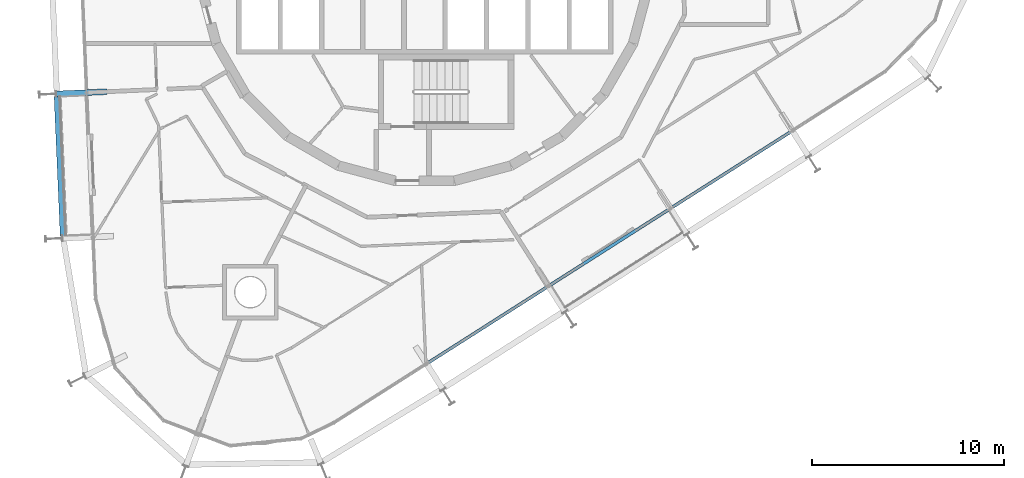
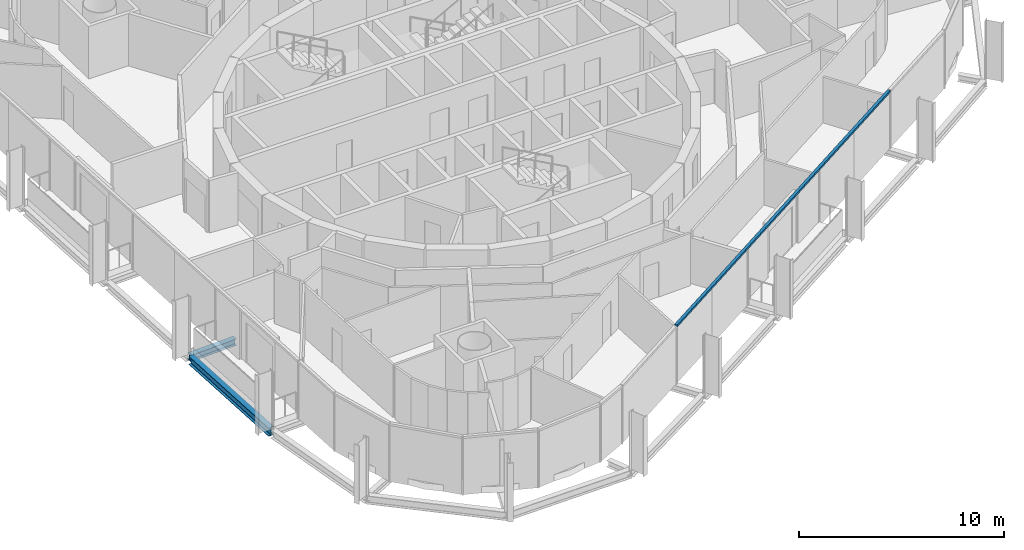
# One storey, part 3 of 18: 2 beams, 1 member, 1 element without a shape of its own.
"""IFC4 building model written with IfcOpenShell, lengths in metres."""

import ifcopenshell
import ifcopenshell.guid

model = None  # the IFC model being written
_history = None  # IfcOwnerHistory: only IFC2X3 demands one
_inside = {}  # id of a spatial element -> (the spatial element, [elements in it])
_under = {}  # id of a project, library or spatial element -> (it, [spatial elements below it])
_declared = {}  # id of a project -> (the project, [libraries it declares])
_typed = {}  # id of a type object -> (the type object, [elements of that type])
_made_of = {}  # id of a material, layer set ... -> (it, [elements and type objects made of it])


def new_model(schema):
    """Start an empty IFC model of exactly this schema.

    Asked for "IFC4X3", IfcOpenShell would pick the latest addendum, in which some entities
    have other attributes; the version numbers below select the first issue.
    IFC2X3 requires an IfcOwnerHistory on every rooted entity: one is made here for all.
    """
    global model, _history
    if schema == "IFC4X3":
        model = ifcopenshell.file(schema_version=(4, 3, 0, 0))
    else:
        model = ifcopenshell.file(schema=schema)
    _inside.clear()
    _under.clear()
    _declared.clear()
    _typed.clear()
    _made_of.clear()
    _history = None
    if model.schema == "IFC2X3":
        org = make("IfcOrganization", Name="unknown")
        user = make(
            "IfcPersonAndOrganization",
            ThePerson=make("IfcPerson", FamilyName="unknown"),
            TheOrganization=org,
        )
        app = make(
            "IfcApplication",
            ApplicationDeveloper=org,
            Version="unknown",
            ApplicationFullName="unknown",
            ApplicationIdentifier="unknown",
        )
        _history = make(
            "IfcOwnerHistory",
            OwningUser=user,
            OwningApplication=app,
            ChangeAction="ADDED",
            CreationDate=0,
        )
    return model


def make(cls, **values):
    """One entity of the class cls with the attributes given. An attribute that is None is left unset."""
    return model.create_entity(
        cls, **{name: value for name, value in values.items() if value is not None}
    )


def rooted(cls, **values):
    """An entity with a GlobalId (a new one), such as an element, a storey or a relation."""
    return make(cls, GlobalId=ifcopenshell.guid.new(), OwnerHistory=_history, **values)


def si_unit(unit_type, name, prefix=None):
    """IfcSIUnit, for example si_unit("LENGTHUNIT", "METRE", prefix="MILLI")."""
    return make("IfcSIUnit", UnitType=unit_type, Prefix=prefix, Name=name)


def assignment(units):
    """IfcUnitAssignment: the units of a project."""
    return None if units is None else make("IfcUnitAssignment", Units=units)


def point(xyz):
    """IfcCartesianPoint."""
    return None if xyz is None else make("IfcCartesianPoint", Coordinates=xyz)


def direction(xyz):
    """IfcDirection."""
    return None if xyz is None else make("IfcDirection", DirectionRatios=xyz)


def frame(location, z_axis=None, x_axis=None):
    """IfcAxis2Placement3D, a coordinate frame: its origin and axes. An axis left out is left unset."""
    return make(
        "IfcAxis2Placement3D",
        Location=point(location),
        Axis=direction(z_axis),
        RefDirection=direction(x_axis),
    )


def frame_2d(location, x_axis=None):
    """IfcAxis2Placement2D, a coordinate frame in the plane: its origin and x axis."""
    return make(
        "IfcAxis2Placement2D", Location=point(location), RefDirection=direction(x_axis)
    )


def origin():
    """The frame at (0, 0, 0) with its axes left unset."""
    return frame((0.0, 0.0, 0.0))


def origin_2d():
    """The frame at (0, 0) in the plane with its x axis left unset."""
    return frame_2d((0.0, 0.0))


def place(relative_to, where):
    """IfcLocalPlacement: puts the frame where relative to a parent placement (None: the world)."""
    return make(
        "IfcLocalPlacement", PlacementRelTo=relative_to, RelativePlacement=where
    )


def context(
    kind, dimensions, precision=None, world=None, true_north=None, identifier=None
):
    """IfcGeometricRepresentationContext, for example the 3D "Model" context."""
    return make(
        "IfcGeometricRepresentationContext",
        ContextIdentifier=identifier,
        ContextType=kind,
        CoordinateSpaceDimension=dimensions,
        Precision=precision,
        WorldCoordinateSystem=world,
        TrueNorth=true_north,
    )


def subcontext(parent, identifier, kind, view, scale=None):
    """IfcGeometricRepresentationSubContext, for example "Body" below "Model"."""
    return make(
        "IfcGeometricRepresentationSubContext",
        ContextIdentifier=identifier,
        ContextType=kind,
        ParentContext=parent,
        TargetScale=scale,
        TargetView=view,
    )


def project(units=None, contexts=None):
    """IfcProject with its units and contexts."""
    return rooted(
        "IfcProject",
        Name="project",
        RepresentationContexts=contexts,
        UnitsInContext=assignment(units),
    )


def spatial(cls, under=None, at=None, **own):
    """A site, building, storey or space (cls), placed at a placement, below another one or the project."""
    s = rooted(cls, ObjectPlacement=at, **own)
    if under is not None:
        _under.setdefault(under.id(), (under, []))[1].append(s)
    return s


def profile(cls, at=None, kind="AREA", **sizes):
    """A parametric profile (cls). Its sizes go by their IFC names, for example OverallWidth=200.0."""
    return make(cls, ProfileType=kind, Position=at, **sizes)


def rectangle(**sizes):
    """IfcRectangleProfileDef."""
    return profile("IfcRectangleProfileDef", **sizes)


def i_section(**sizes):
    """IfcIShapeProfileDef."""
    return profile("IfcIShapeProfileDef", **sizes)


def extrude(swept, where, along, depth):
    """IfcExtrudedAreaSolid: the profile swept, set in the frame where, extruded along a direction by depth."""
    return make(
        "IfcExtrudedAreaSolid",
        SweptArea=swept,
        Position=where,
        ExtrudedDirection=direction(along),
        Depth=depth,
    )


def shape(context_of_items, identifier, shape_type, items):
    """IfcShapeRepresentation: the items that make up one representation, for example the "Body"."""
    return make(
        "IfcShapeRepresentation",
        ContextOfItems=context_of_items,
        RepresentationIdentifier=identifier,
        RepresentationType=shape_type,
        Items=items,
    )


def material(Name=None, Category=None):
    """IfcMaterial."""
    return make("IfcMaterial", Name=Name, Category=Category)


def layer(
    of_material, thickness, ventilated=None, Name=None, Category=None, Priority=None
):
    """IfcMaterialLayer: one layer of a wall or slab, of a material (None: an air gap)."""
    return make(
        "IfcMaterialLayer",
        Material=of_material,
        LayerThickness=thickness,
        IsVentilated=ventilated,
        Name=Name,
        Category=Category,
        Priority=Priority,
    )


def layer_set(layers, Name=None):
    """IfcMaterialLayerSet."""
    return make("IfcMaterialLayerSet", MaterialLayers=layers, LayerSetName=Name)


def material_profile(
    of_material, cross_section, Name=None, Category=None, Priority=None
):
    """IfcMaterialProfile: a cross section and its material."""
    return make(
        "IfcMaterialProfile",
        Name=Name,
        Material=of_material,
        Profile=cross_section,
        Priority=Priority,
        Category=Category,
    )


def profile_set(profiles, Name=None, composite=None):
    """IfcMaterialProfileSet."""
    return make(
        "IfcMaterialProfileSet",
        Name=Name,
        MaterialProfiles=profiles,
        CompositeProfile=composite,
    )


def made_of(thing, what):
    """Note that an element or type object is made of a material, layer set ...; save() writes the relation."""
    if what is not None:
        _made_of.setdefault(what.id(), (what, []))[1].append(thing)
    return thing


def type_object(cls, material=None, **own):
    """A type object (cls), such as IfcWallType, which elements share."""
    return made_of(rooted(cls, **own), material)


def element(
    cls,
    number,
    at=None,
    inside=None,
    cuts=None,
    type_object=None,
    material=None,
    context=None,
    identifier="Body",
    shape_type=None,
    held_by="IfcProductDefinitionShape",
    body=None,
    shapes=None,
    **own,
):
    """One element of the class cls, such as IfcWall. Its Tag is "e" and its number.

    at: its placement. inside: the storey or other place that contains it. cuts: it is an
    opening in that element (IfcRelVoidsElement). A single representation is given by context,
    identifier, shape_type and body (its items); several are given by shapes. held_by: the class
    of the entity that holds the representations. save() writes the other relations.
    """
    e = rooted(cls, Tag="e%d" % number, ObjectPlacement=at, **own)
    if body is not None:
        shapes = [shape(context, identifier, shape_type, body)]
    if shapes is not None:
        e.Representation = make(held_by, Representations=shapes)
    if inside is not None:
        _inside.setdefault(inside.id(), (inside, []))[1].append(e)
    if cuts is not None:
        rooted(
            "IfcRelVoidsElement", RelatingBuildingElement=cuts, RelatedOpeningElement=e
        )
    if type_object is not None:
        _typed.setdefault(type_object.id(), (type_object, []))[1].append(e)
    return made_of(e, material)


def aggregate(whole, parts):
    """IfcRelAggregates: a whole, such as a stair, and the parts it consists of."""
    return rooted("IfcRelAggregates", RelatingObject=whole, RelatedObjects=parts)


def save(model, path):
    """Write the relations noted so far, then the file.

    IfcRelAggregates (storeys below a building ...), IfcRelContainedInSpatialStructure (elements
    in a storey), IfcRelDefinesByType, IfcRelAssociatesMaterial and IfcRelDeclares: one each for
    every whole, place, type object, material and project.
    """
    for whole, parts in _under.values():
        aggregate(whole, parts)
    for where, things in _inside.values():
        rooted(
            "IfcRelContainedInSpatialStructure",
            RelatedElements=things,
            RelatingStructure=where,
        )
    for kind, things in _typed.values():
        rooted("IfcRelDefinesByType", RelatedObjects=things, RelatingType=kind)
    for what, things in _made_of.values():
        rooted("IfcRelAssociatesMaterial", RelatedObjects=things, RelatingMaterial=what)
    for by, libraries in _declared.values():
        rooted("IfcRelDeclares", RelatingContext=by, RelatedDefinitions=libraries)
    model.write(path)


model = new_model("IFC4")

# Units and contexts
model_context = context("Model", 3, precision=1e-05, world=origin(), true_north=direction((0.0, 1.0)))
body_context = subcontext(model_context, "Body", "Model", "MODEL_VIEW")
ifc_project = project(units=[si_unit("LENGTHUNIT", "METRE"), si_unit("AREAUNIT", "SQUARE_METRE"), si_unit("VOLUMEUNIT", "CUBIC_METRE"), si_unit("PLANEANGLEUNIT", "RADIAN"), si_unit("MASSUNIT", "GRAM", prefix="KILO")], contexts=[model_context])

# Site, building, storey
site_placement = place(None, origin())
site = spatial("IfcSite", under=ifc_project, at=site_placement, CompositionType="ELEMENT")
building_placement = place(site_placement, origin())
building = spatial("IfcBuilding", under=site, at=building_placement, Name="Spindle Arch Residences", CompositionType="ELEMENT")
storey_placement = place(building_placement, frame((0.0, 0.0, 251.199951171875)))
storey = spatial("IfcBuildingStorey", under=building, at=storey_placement, Name="L64", CompositionType="ELEMENT", Elevation=251.199951171875)

# Curtain wall, member
ifc_material_1 = material(Name="Aluminium bronze unitised frame with tinted glass", Category="aluminium")
ifc_layer = layer(ifc_material_1, 0.159912109375)
ifc_layer_set = layer_set([ifc_layer], Name="CW-C typical residential unitised wall")
curtain_wall_type = type_object("IfcCurtainWallType", Name="CW-C typical residential unitised wall", PredefinedType="NOTDEFINED", material=ifc_layer_set)
curtain_wall_placement = place(storey_placement, origin())
curtain_wall = element("IfcCurtainWall", 1, at=curtain_wall_placement, inside=storey, type_object=curtain_wall_type, Name="CW-C L64 run 6", PredefinedType="NOTDEFINED")
ifc_material_2 = material(Name="Aluminium bronze anodised transom", Category="aluminium")
ifc_material_profile_1 = material_profile(ifc_material_2, rectangle(XDim=0.159912109375, YDim=0.1201171875, at=origin_2d()), Name="TR 120x160")
ifc_profile_set_1 = profile_set([ifc_material_profile_1], Name="Aluminium bronze anodised transom")
member_type = type_object("IfcMemberType", Name="Bronze transom 120x160", PredefinedType="USERDEFINED", material=ifc_profile_set_1)
member_placement = place(storey_placement, frame((0.12451171875, -21.16162109375, 3.06005859375), z_axis=(0.84339053968, 0.537301030688, 0.0), x_axis=(-0.537301030688, 0.84339053968, 0.0)))
member = element("IfcMember", 2, at=member_placement, type_object=member_type, Name="CW-C transom 00", ObjectType="TRANSOM", PredefinedType="USERDEFINED", context=body_context, shape_type="SweptSolid", body=[
    extrude(rectangle(XDim=0.159912109375, YDim=0.1201171875, at=origin_2d()), origin(), (0.0, 0.0, 1.0), 22.530029296875),
])
aggregate(curtain_wall, [member])

# Beams
ifc_material_3 = material(Name="Steel S460ML, intumescent coating R 120", Category="steel")
ifc_material_profile_2 = material_profile(ifc_material_3, i_section(OverallWidth=0.300048828125, OverallDepth=0.5, WebThickness=0.014404296875, FlangeThickness=0.028076171875, FilletRadius=0.027099609375, at=origin_2d()), Name="HEB 500")
ifc_profile_set_2 = profile_set([ifc_material_profile_2], Name="Steel S460ML, intumescent coating R 120")
beam_type_1 = type_object("IfcBeamType", Name="Exoskeleton edge beam HEB 500", PredefinedType="BEAM", material=ifc_profile_set_2)
beam_1_placement = place(storey_placement, frame((-19.156494140625, -7.24755859375, -0.6298828125), z_axis=(0.043622301665, -0.999048094337, 0.0), x_axis=(0.999048094337, 0.043622301665, 0.0)))
element("IfcBeam", 3, at=beam_1_placement, inside=storey, type_object=beam_type_1, Name="Exoskeleton edge beam 16", PredefinedType="BEAM", context=body_context, shape_type="SweptSolid", body=[
    extrude(i_section(OverallWidth=0.300048828125, OverallDepth=0.5, WebThickness=0.014404296875, FlangeThickness=0.028076171875, FilletRadius=0.027099609375, at=origin_2d()), origin(), (0.0, 0.0, 1.0), 7.27001953125),
])
ifc_material_4 = material(Name="Steel S460ML, intumescent coating R 120", Category="steel")
ifc_material_profile_3 = material_profile(ifc_material_4, i_section(OverallWidth=0.300048828125, OverallDepth=0.389892578125, WebThickness=0.010986328125, FlangeThickness=0.01904296875, FilletRadius=0.027099609375, at=origin_2d()), Name="HEA 400")
ifc_profile_set_3 = profile_set([ifc_material_profile_3], Name="Steel S460ML, intumescent coating R 120")
beam_type_2 = type_object("IfcBeamType", Name="Floor outrigger HEA 400", PredefinedType="BEAM", material=ifc_profile_set_3)
beam_2_placement = place(storey_placement, frame((-19.192138671875, -7.118896484375, -0.574951171875), z_axis=(0.999050064545, 0.04357715608, 0.0), x_axis=(-0.04357715608, 0.999050064545, 0.0)))
element("IfcBeam", 4, at=beam_2_placement, inside=storey, type_object=beam_type_2, Name="Floor outrigger 16", PredefinedType="BEAM", context=body_context, shape_type="SweptSolid", body=[
    extrude(i_section(OverallWidth=0.300048828125, OverallDepth=0.389892578125, WebThickness=0.010986328125, FlangeThickness=0.01904296875, FilletRadius=0.027099609375, at=origin_2d()), origin(), (0.0, 0.0, 1.0), 2.64990234375),
])

save(model, "model.ifc")
